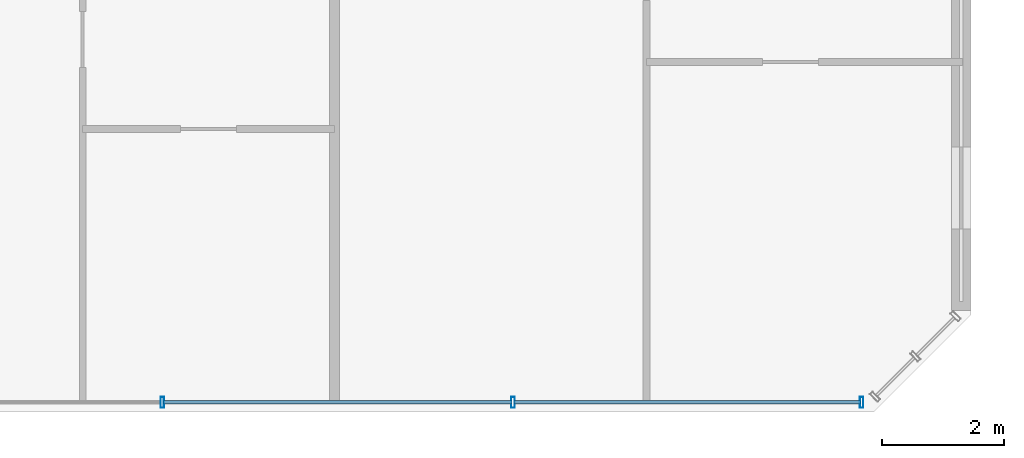
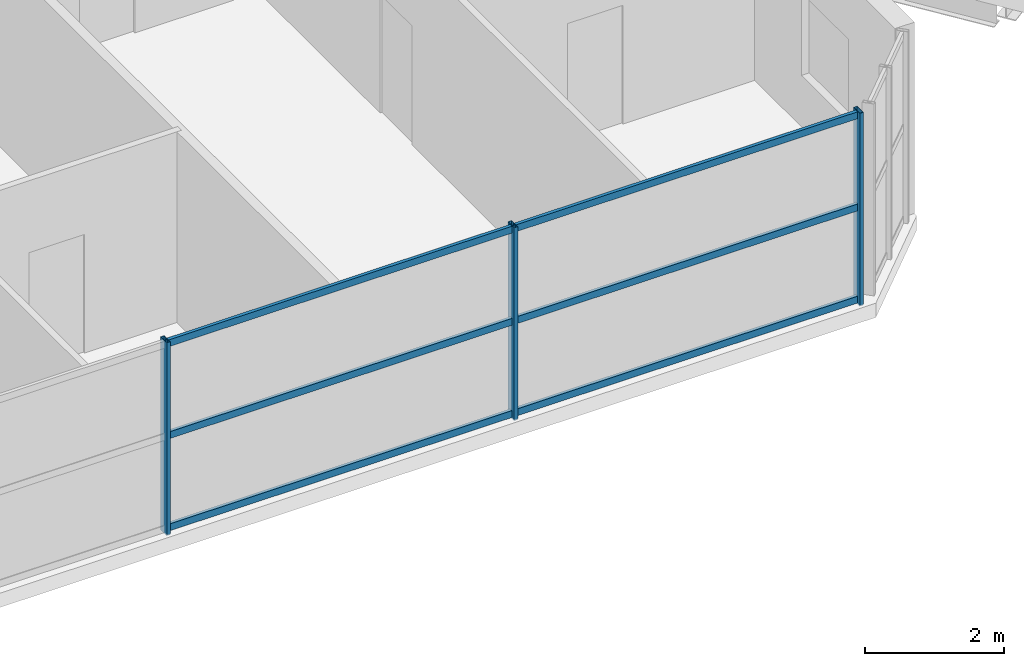
# One storey, part 8 of 29: 9 members, 1 element without a shape of its own.
"""IFC4 building model written with IfcOpenShell, lengths in metres."""

from ifc_helpers import new_model, si_unit, direction, frame, origin, origin_2d, place, context, subcontext, project, spatial, hollow_rectangle, extrude, source, transform, mapped, material, material_profile, profile_set, type_object, element, aggregate, save


model = new_model("IFC4")

# Units and contexts
model_context = context("Model", 3, precision=1e-05, world=origin(), true_north=direction((0.0, 1.0)))
body_context = subcontext(model_context, "Body", "Model", "MODEL_VIEW")
ifc_project = project(units=[si_unit("LENGTHUNIT", "METRE"), si_unit("AREAUNIT", "SQUARE_METRE"), si_unit("VOLUMEUNIT", "CUBIC_METRE"), si_unit("PLANEANGLEUNIT", "RADIAN"), si_unit("MASSUNIT", "GRAM", prefix="KILO")], contexts=[model_context])

# Site, building, storey
site_placement = place(None, origin())
site = spatial("IfcSite", under=ifc_project, at=site_placement, CompositionType="ELEMENT")
building_placement = place(site_placement, origin())
building = spatial("IfcBuilding", under=site, at=building_placement, Name="Tlacorven Tower", CompositionType="ELEMENT")
storey_placement = place(building_placement, frame((0.0, 0.0, 238.5)))
storey = spatial("IfcBuildingStorey", under=building, at=storey_placement, Name="L60", CompositionType="ELEMENT", Elevation=238.5)

# Curtain wall, members
ifc_material_1 = material(Name="Dark solar low-E double glazing in aluminium frame", Category="aluminium")
curtain_wall_type = type_object("IfcCurtainWallType", Name="CW-TWR-HIGH", PredefinedType="USERDEFINED", material=ifc_material_1)
curtain_wall_placement = place(storey_placement, origin())
curtain_wall = element("IfcCurtainWall", 1, at=curtain_wall_placement, inside=storey, type_object=curtain_wall_type, Name="L60 CW-TWR-HIGH Curtain Wall 273", ObjectType="UNITISED CURTAIN WALL", PredefinedType="USERDEFINED")
ifc_material_2 = material(Name="Aluminium 6063-T6 anodised", Category="aluminium")
ifc_material_profile_1 = material_profile(ifc_material_2, hollow_rectangle(XDim=0.06005859375, YDim=0.179931640625, WallThickness=0.00390625, at=origin_2d()), Name="ALU MULLION 60X180")
ifc_profile_set_1 = profile_set([ifc_material_profile_1], Name="Aluminium 6063-T6 anodised")
member_type_1 = type_object("IfcMemberType", Name="CWM-03", PredefinedType="MULLION", material=ifc_profile_set_1)
shared_shape_1 = source(origin(), body_context, "Body", "SweptSolid", [
    extrude(hollow_rectangle(XDim=0.06005859375, YDim=0.179931640625, WallThickness=0.00390625, at=origin_2d()), origin(), (0.0, 0.0, 1.0), 3.380126953125),
])
member_1_placement = place(storey_placement, frame((50.603759765625, 1.9599609375, -0.02001953125), z_axis=(0.0, 0.0, 1.0), x_axis=(-1.0, 0.0, 0.0)))
member_1 = element("IfcMember", 2, at=member_1_placement, type_object=member_type_1, Name="CW-L60-273 Mullion 1", PredefinedType="MULLION", context=body_context, shape_type="MappedRepresentation", body=[
    mapped(shared_shape_1, transform((0.0, 0.0, 0.0), scale=1.0)),
])
member_2_placement = place(storey_placement, frame((44.8779296875, 1.9599609375, -0.02001953125), z_axis=(0.0, 0.0, 1.0), x_axis=(-1.0, 0.0, 0.0)))
member_2 = element("IfcMember", 3, at=member_2_placement, type_object=member_type_1, Name="CW-L60-273 Mullion 2", PredefinedType="MULLION", context=body_context, shape_type="MappedRepresentation", body=[
    mapped(shared_shape_1, transform((0.0, 0.0, 0.0), scale=1.0)),
])
member_3_placement = place(storey_placement, frame((39.1220703125, 1.9599609375, -0.02001953125), z_axis=(0.0, 0.0, 1.0), x_axis=(-1.0, 0.0, 0.0)))
member_3 = element("IfcMember", 4, at=member_3_placement, type_object=member_type_1, Name="CW-L60-273 Mullion 3", PredefinedType="MULLION", context=body_context, shape_type="MappedRepresentation", body=[
    mapped(shared_shape_1, transform((0.0, 0.0, 0.0), scale=1.0)),
])
ifc_material_profile_2 = material_profile(ifc_material_2, hollow_rectangle(XDim=0.054931640625, YDim=0.1201171875, WallThickness=0.00341796875, at=origin_2d()), Name="ALU TRANSOM 55X120")
ifc_profile_set_2 = profile_set([ifc_material_profile_2], Name="Aluminium 6063-T6 anodised")
member_type_2 = type_object("IfcMemberType", Name="CWT-03", PredefinedType="USERDEFINED", material=ifc_profile_set_2)
shared_shape_2 = source(origin(), body_context, "Body", "SweptSolid", [
    extrude(hollow_rectangle(XDim=0.054931640625, YDim=0.1201171875, WallThickness=0.00341796875, at=origin_2d()), origin(), (0.0, 0.0, 1.0), 5.689697265625),
])
member_4_placement = place(storey_placement, frame((50.585693359375, 1.9599609375, 0.06005859375), z_axis=(-1.0, 0.0, 0.0), x_axis=(0.0, -1.0, 0.0)))
member_4 = element("IfcMember", 5, at=member_4_placement, type_object=member_type_2, Name="CW-L60-273 Transom 1", ObjectType="TRANSOM", PredefinedType="USERDEFINED", context=body_context, shape_type="MappedRepresentation", body=[
    mapped(shared_shape_2, transform((0.0, 0.0, 0.0), scale=1.0)),
])
member_5_placement = place(storey_placement, frame((50.585693359375, 1.9599609375, 1.675048828125), z_axis=(-1.0, 0.0, 0.0), x_axis=(0.0, -1.0, 0.0)))
member_5 = element("IfcMember", 6, at=member_5_placement, type_object=member_type_2, Name="CW-L60-273 Transom 2", ObjectType="TRANSOM", PredefinedType="USERDEFINED", context=body_context, shape_type="MappedRepresentation", body=[
    mapped(shared_shape_2, transform((0.0, 0.0, 0.0), scale=1.0)),
])
member_6_placement = place(storey_placement, frame((50.585693359375, 1.9599609375, 3.2900390625), z_axis=(-1.0, 0.0, 0.0), x_axis=(0.0, -1.0, 0.0)))
member_6 = element("IfcMember", 7, at=member_6_placement, type_object=member_type_2, Name="CW-L60-273 Transom 3", ObjectType="TRANSOM", PredefinedType="USERDEFINED", context=body_context, shape_type="MappedRepresentation", body=[
    mapped(shared_shape_2, transform((0.0, 0.0, 0.0), scale=1.0)),
])
shared_shape_3 = source(origin(), body_context, "Body", "SweptSolid", [
    extrude(hollow_rectangle(XDim=0.054931640625, YDim=0.1201171875, WallThickness=0.00341796875, at=origin_2d()), origin(), (0.0, 0.0, 1.0), 5.7197265625),
])
member_7_placement = place(storey_placement, frame((44.85986328125, 1.9599609375, 0.06005859375), z_axis=(-1.0, 0.0, 0.0), x_axis=(0.0, -1.0, 0.0)))
member_7 = element("IfcMember", 8, at=member_7_placement, type_object=member_type_2, Name="CW-L60-273 Transom 4", ObjectType="TRANSOM", PredefinedType="USERDEFINED", context=body_context, shape_type="MappedRepresentation", body=[
    mapped(shared_shape_3, transform((0.0, 0.0, 0.0), scale=1.0)),
])
member_8_placement = place(storey_placement, frame((44.85986328125, 1.9599609375, 1.675048828125), z_axis=(-1.0, 0.0, 0.0), x_axis=(0.0, -1.0, 0.0)))
member_8 = element("IfcMember", 9, at=member_8_placement, type_object=member_type_2, Name="CW-L60-273 Transom 5", ObjectType="TRANSOM", PredefinedType="USERDEFINED", context=body_context, shape_type="MappedRepresentation", body=[
    mapped(shared_shape_3, transform((0.0, 0.0, 0.0), scale=1.0)),
])
member_9_placement = place(storey_placement, frame((44.85986328125, 1.9599609375, 3.2900390625), z_axis=(-1.0, 0.0, 0.0), x_axis=(0.0, -1.0, 0.0)))
member_9 = element("IfcMember", 10, at=member_9_placement, type_object=member_type_2, Name="CW-L60-273 Transom 6", ObjectType="TRANSOM", PredefinedType="USERDEFINED", context=body_context, shape_type="MappedRepresentation", body=[
    mapped(shared_shape_3, transform((0.0, 0.0, 0.0), scale=1.0)),
])
aggregate(curtain_wall, [member_1, member_2, member_3, member_4, member_5, member_6, member_7, member_8, member_9])

save(model, "model.ifc")
